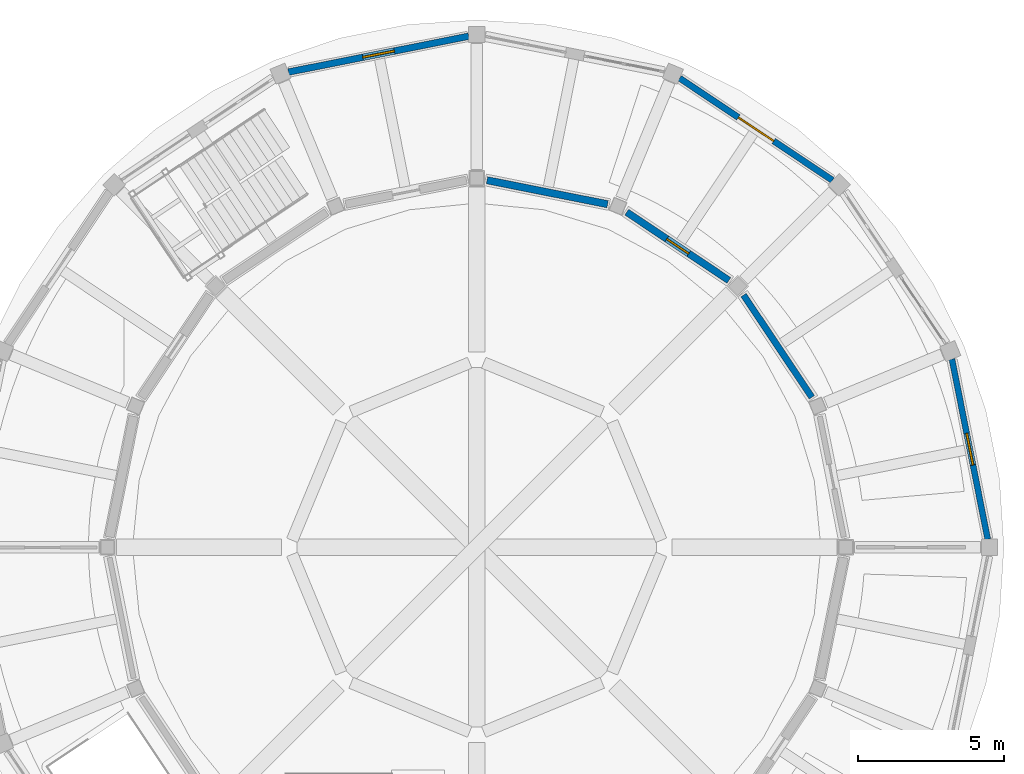
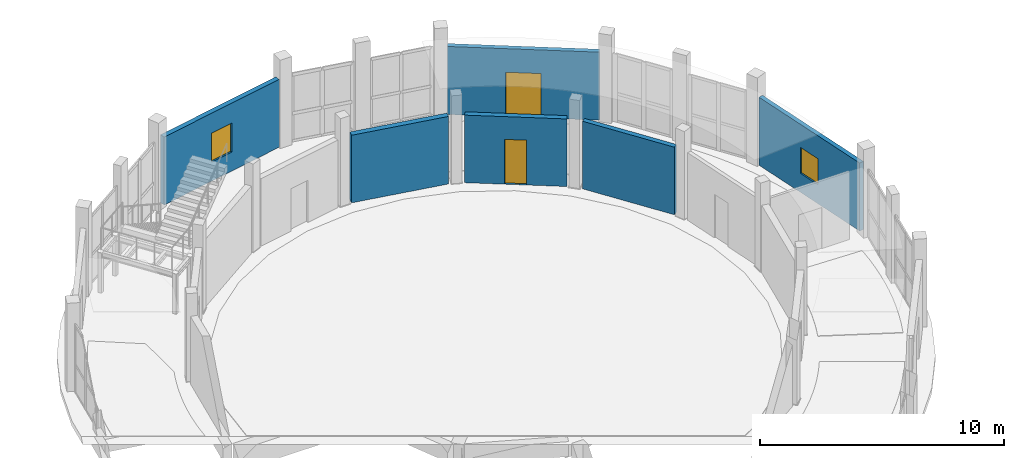
# One storey, part 75 of 92: 6 walls, 2 doors, 2 windows, 4 openings.
"""IFC4 building model written with IfcOpenShell, lengths in metres."""

from ifc_helpers import new_model, si_unit, direction, frame, frame_2d, origin, place, context, subcontext, project, spatial, rectangle, extrude, material, layer, layer_set, type_object, element, fill, save


model = new_model("IFC4")

# Units and contexts
model_context = context("Model", 3, precision=1e-05, world=origin(), true_north=direction((0.0, 1.0)))
body_context = subcontext(model_context, "Body", "Model", "MODEL_VIEW")
ifc_project = project(units=[si_unit("LENGTHUNIT", "METRE"), si_unit("AREAUNIT", "SQUARE_METRE"), si_unit("VOLUMEUNIT", "CUBIC_METRE"), si_unit("PLANEANGLEUNIT", "RADIAN"), si_unit("MASSUNIT", "GRAM", prefix="KILO")], contexts=[model_context])

# Site, building, storey
site_placement = place(None, origin())
site = spatial("IfcSite", under=ifc_project, at=site_placement, CompositionType="ELEMENT")
building_placement = place(site_placement, origin())
building = spatial("IfcBuilding", under=site, at=building_placement, Name="Caldaven Crescent School", CompositionType="ELEMENT")
storey_placement = place(building_placement, origin())
storey = spatial("IfcBuildingStorey", under=building, at=storey_placement, Name="L00", CompositionType="ELEMENT", Elevation=0.0)

# Wall, opening, window
ifc_material_1 = material(Name="Precast concrete C35/45", Category="concrete")
ifc_layer_1 = layer(ifc_material_1, 0.2041015625)
ifc_layer_set_1 = layer_set([ifc_layer_1], Name="Precast concrete C35/45")
wall_type_1 = type_object("IfcWallType", Name="WAL-EW02", PredefinedType="STANDARD", material=ifc_layer_set_1)
wall_1_placement = place(storey_placement, frame((169.94580078125, 98.772705078125, 0.0), z_axis=(0.0, 0.0, 1.0), x_axis=(-0.195090512195, 0.980785242574, 0.0)))
wall_1 = element("IfcWall", 1, at=wall_1_placement, inside=storey, type_object=wall_type_1, Name="EW-L00-001", PredefinedType="STANDARD", context=body_context, shape_type="SweptSolid", body=[
    extrude(rectangle(XDim=6.272216796875, YDim=0.2041015625, at=frame_2d((3.13623046875, 0.0))), origin(), (0.0, 0.0, 1.0), 3.39990234375),
])
opening_1_placement = place(wall_1_placement, frame((2.586181640625, 0.0, 0.949951171875)))
opening_1 = element("IfcOpeningElement", 2, at=opening_1_placement, cuts=wall_1, Name="Opening W02", PredefinedType="OPENING", context=body_context, shape_type="SweptSolid", body=[
    extrude(rectangle(XDim=1.10009765625, YDim=1.300048828125, at=frame_2d((0.550048828125, 0.64990234375))), frame((0.0, 0.112060546875, 0.0), z_axis=(0.0, -1.0, 0.0), x_axis=(1.0, 0.0, 0.0)), (0.0, 0.0, 1.0), 0.22412109375),
])
ifc_material_2 = material(Name="Thermally broken anodised aluminium AA 6063-T6 and low-E double glazing", Category="aluminium")
window_type_1 = type_object("IfcWindowType", Name="WIN-W02", PartitioningType="SINGLE_PANEL", PredefinedType="WINDOW", material=ifc_material_2)
window_1_placement = place(opening_1_placement, origin())
window_1 = element("IfcWindow", 3, at=window_1_placement, inside=storey, type_object=window_type_1, Name="WIN-L00-001-1", OverallHeight=1.300048828125, OverallWidth=1.10009765625, PartitioningType="SINGLE_PANEL", PredefinedType="WINDOW", context=body_context, shape_type="SweptSolid", body=[
    extrude(rectangle(XDim=1.10009765625, YDim=1.300048828125, at=frame_2d((0.550048828125, 0.64990234375))), frame((0.0, 0.030029296875, 0.0), z_axis=(0.0, -1.0, 0.0), x_axis=(1.0, 0.0, 0.0)), (0.0, 0.0, 1.0), 0.06005859375),
])
fill(opening_1, window_1)

# Wall, opening, door
ifc_layer_2 = layer(ifc_material_1, 0.216064453125)
ifc_layer_set_2 = layer_set([ifc_layer_2], Name="Precast concrete C35/45")
wall_type_2 = type_object("IfcWallType", Name="WAL-EW03", PredefinedType="STANDARD", material=ifc_layer_set_2)
wall_2_placement = place(storey_placement, frame((164.643310546875, 111.02880859375, 0.0), z_axis=(0.0, 0.0, 1.0), x_axis=(-0.831468962917, 0.555571204893, 0.0)))
wall_2 = element("IfcWall", 4, at=wall_2_placement, inside=storey, type_object=wall_type_2, Name="EW-L00-002", PredefinedType="STANDARD", context=body_context, shape_type="SweptSolid", body=[
    extrude(rectangle(XDim=6.272216796875, YDim=0.216064453125, at=frame_2d((3.13623046875, 0.0))), origin(), (0.0, 0.0, 1.0), 3.39990234375),
])
opening_2_placement = place(wall_2_placement, frame((2.4111328125, 0.0, 0.0)))
opening_2 = element("IfcOpeningElement", 5, at=opening_2_placement, cuts=wall_2, Name="Opening D-L00-E001", PredefinedType="OPENING", context=body_context, shape_type="SweptSolid", body=[
    extrude(rectangle(XDim=1.449951171875, YDim=2.219970703125, at=frame_2d((0.72509765625, 1.10986328125))), frame((0.0, 0.117919921875, 0.0), z_axis=(0.0, -1.0, 0.0), x_axis=(1.0, 0.0, 0.0)), (0.0, 0.0, 1.0), 0.236083984375),
])
ifc_material_3 = material(Name="Thermally broken bronze-anodised aluminium and laminated safety glass", Category="aluminium")
door_type_1 = type_object("IfcDoorType", Name="DOR-EX07", OperationType="NOTDEFINED", PredefinedType="DOOR", material=ifc_material_3)
door_1_placement = place(opening_2_placement, frame((1.449951171875, 0.0, 0.0), z_axis=(0.0, 0.0, 1.0), x_axis=(-1.0, 0.0, 0.0)))
door_1 = element("IfcDoor", 6, at=door_1_placement, inside=storey, type_object=door_type_1, Name="DOR-EXT-L00-001", OperationType="DOUBLE_DOOR_SINGLE_SWING", OverallHeight=2.219970703125, OverallWidth=1.449951171875, PredefinedType="DOOR", context=body_context, shape_type="SweptSolid", body=[
    extrude(rectangle(XDim=1.449951171875, YDim=2.219970703125, at=frame_2d((0.72509765625, 1.10986328125))), frame((0.0, 0.02490234375, 0.0), z_axis=(0.0, -1.0, 0.0), x_axis=(1.0, 0.0, 0.0)), (0.0, 0.0, 1.0), 0.050048828125),
])
fill(opening_2, door_1)

# Wall, opening, window
ifc_layer_3 = layer(ifc_material_1, 0.22802734375)
ifc_layer_set_3 = layer_set([ifc_layer_3], Name="Precast concrete C35/45")
wall_type_3 = type_object("IfcWallType", Name="WAL-EW04", PredefinedType="STANDARD", material=ifc_layer_set_3)
wall_3_placement = place(storey_placement, frame((152.227294921875, 115.94580078125, 0.0), z_axis=(0.0, 0.0, 1.0), x_axis=(-0.980785242574, -0.195090512195, 0.0)))
wall_3 = element("IfcWall", 7, at=wall_3_placement, inside=storey, type_object=wall_type_3, Name="EW-L00-003", PredefinedType="STANDARD", context=body_context, shape_type="SweptSolid", body=[
    extrude(rectangle(XDim=6.272216796875, YDim=0.22802734375, at=frame_2d((3.13623046875, 0.0))), origin(), (0.0, 0.0, 1.0), 3.39990234375),
])
opening_3_placement = place(wall_3_placement, frame((2.586181640625, 0.0, 0.949951171875)))
opening_3 = element("IfcOpeningElement", 8, at=opening_3_placement, cuts=wall_3, Name="Opening W03", PredefinedType="OPENING", context=body_context, shape_type="SweptSolid", body=[
    extrude(rectangle(XDim=1.10009765625, YDim=1.449951171875, at=frame_2d((0.550048828125, 0.72509765625))), frame((0.0, 0.1240234375, 0.0), z_axis=(0.0, -1.0, 0.0), x_axis=(1.0, 0.0, 0.0)), (0.0, 0.0, 1.0), 0.248046875),
])
window_type_2 = type_object("IfcWindowType", Name="WIN-W03", PartitioningType="SINGLE_PANEL", PredefinedType="WINDOW", material=ifc_material_2)
window_2_placement = place(opening_3_placement, origin())
window_2 = element("IfcWindow", 9, at=window_2_placement, inside=storey, type_object=window_type_2, Name="WIN-L00-002-1", OverallHeight=1.449951171875, OverallWidth=1.10009765625, PartitioningType="SINGLE_PANEL", PredefinedType="WINDOW", context=body_context, shape_type="SweptSolid", body=[
    extrude(rectangle(XDim=1.10009765625, YDim=1.449951171875, at=frame_2d((0.550048828125, 0.72509765625))), frame((0.0, 0.030029296875, 0.0), z_axis=(0.0, -1.0, 0.0), x_axis=(1.0, 0.0, 0.0)), (0.0, 0.0, 1.0), 0.06005859375),
])
fill(opening_3, window_2)

# Wall
ifc_material_4 = material(Name="Acoustic timber-stud and fire-rated gypsum board assembly", Category="wood")
ifc_layer_4 = layer(ifc_material_4, 0.219970703125)
ifc_layer_set_4 = layer_set([ifc_layer_4], Name="Acoustic timber-stud and fire-rated gypsum board assembly")
wall_type_4 = type_object("IfcWallType", Name="WAL-IW07", PredefinedType="STANDARD", material=ifc_layer_set_4)
wall_4_placement = place(storey_placement, frame((163.94091796875, 103.62109375, 0.0), z_axis=(0.0, 0.0, 1.0), x_axis=(-0.55557260962, 0.831468024304, 0.0)))
element("IfcWall", 10, at=wall_4_placement, inside=storey, type_object=wall_type_4, Name="IW-L00-0006", PredefinedType="STANDARD", context=body_context, shape_type="SweptSolid", body=[
    extrude(rectangle(XDim=4.1962890625, YDim=0.219970703125, at=frame_2d((2.09814453125, 0.0))), origin(), (0.0, 0.0, 1.0), 3.3798828125),
])

# Wall, opening, door
ifc_layer_5 = layer(ifc_material_4, 0.239990234375)
ifc_layer_set_5 = layer_set([ifc_layer_5], Name="Acoustic timber-stud and fire-rated gypsum board assembly")
wall_type_5 = type_object("IfcWallType", Name="WAL-IW09", PredefinedType="STANDARD", material=ifc_layer_set_5)
wall_5_placement = place(storey_placement, frame((161.110107421875, 107.609619140625, 0.0), z_axis=(0.0, 0.0, 1.0), x_axis=(-0.831468024304, 0.55557260962, 0.0)))
wall_5 = element("IfcWall", 11, at=wall_5_placement, inside=storey, type_object=wall_type_5, Name="IW-L00-0008", PredefinedType="STANDARD", context=body_context, shape_type="SweptSolid", body=[
    extrude(rectangle(XDim=4.1962890625, YDim=0.239990234375, at=frame_2d((2.09814453125, 0.0))), origin(), (0.0, 0.0, 1.0), 3.3798828125),
])
opening_4_placement = place(wall_5_placement, frame((1.648193359375, 0.0, 0.0)))
opening_4 = element("IfcOpeningElement", 12, at=opening_4_placement, cuts=wall_5, Name="Opening D-L00-I007", PredefinedType="OPENING", context=body_context, shape_type="SweptSolid", body=[
    extrude(rectangle(XDim=0.89990234375, YDim=2.239990234375, at=frame_2d((0.449951171875, 1.1201171875))), frame((0.0, 0.1298828125, 0.0), z_axis=(0.0, -1.0, 0.0), x_axis=(1.0, 0.0, 0.0)), (0.0, 0.0, 1.0), 0.260009765625),
])
ifc_material_5 = material(Name="Solid-core Pino Radiata acoustic timber leaf in steel frame", Category="steel")
door_type_2 = type_object("IfcDoorType", Name="DOR-ID08", OperationType="NOTDEFINED", PredefinedType="DOOR", material=ifc_material_5)
door_2_placement = place(opening_4_placement, frame((0.89990234375, 0.0, 0.0), z_axis=(0.0, 0.0, 1.0), x_axis=(-1.0, 0.0, 0.0)))
door_2 = element("IfcDoor", 13, at=door_2_placement, inside=storey, type_object=door_type_2, Name="DOR-INT-L00-0007", OperationType="SINGLE_SWING_RIGHT", OverallHeight=2.239990234375, OverallWidth=0.89990234375, PredefinedType="DOOR", context=body_context, shape_type="SweptSolid", body=[
    extrude(rectangle(XDim=0.89990234375, YDim=2.239990234375, at=frame_2d((0.449951171875, 1.1201171875))), frame((0.0, 0.02490234375, 0.0), z_axis=(0.0, -1.0, 0.0), x_axis=(1.0, 0.0, 0.0)), (0.0, 0.0, 1.0), 0.050048828125),
])
fill(opening_4, door_2)

# Wall
ifc_layer_6 = layer(ifc_material_4, 0.25)
ifc_layer_set_6 = layer_set([ifc_layer_6], Name="Acoustic timber-stud and fire-rated gypsum board assembly")
wall_type_6 = type_object("IfcWallType", Name="WAL-IW10", PredefinedType="STANDARD", material=ifc_layer_set_6)
wall_6_placement = place(storey_placement, frame((156.96875, 110.211181640625, 0.0), z_axis=(0.0, 0.0, 1.0), x_axis=(-0.980788226851, 0.195075508639, 0.0)))
element("IfcWall", 14, at=wall_6_placement, inside=storey, type_object=wall_type_6, Name="IW-L00-0009", PredefinedType="STANDARD", context=body_context, shape_type="SweptSolid", body=[
    extrude(rectangle(XDim=4.1962890625, YDim=0.25, at=frame_2d((2.09814453125, 0.0))), origin(), (0.0, 0.0, 1.0), 3.3798828125),
])

save(model, "model.ifc")
